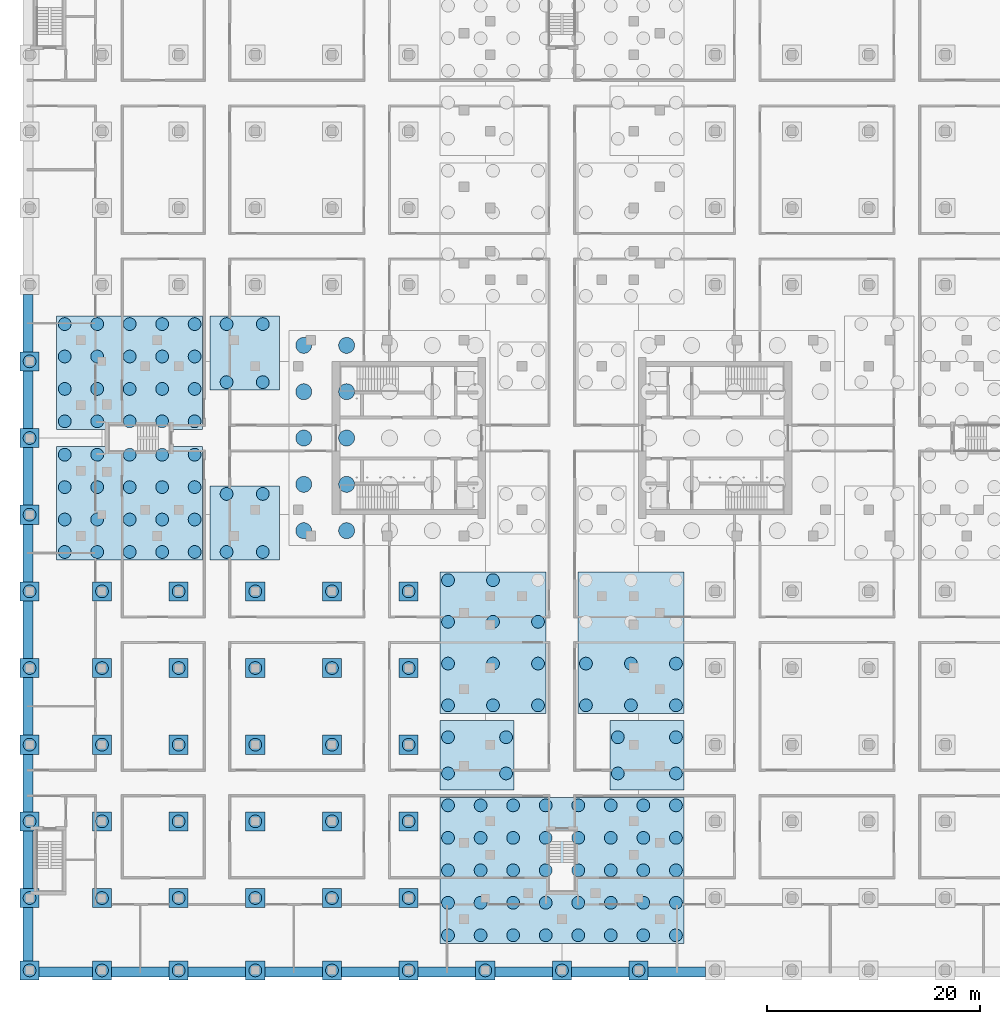
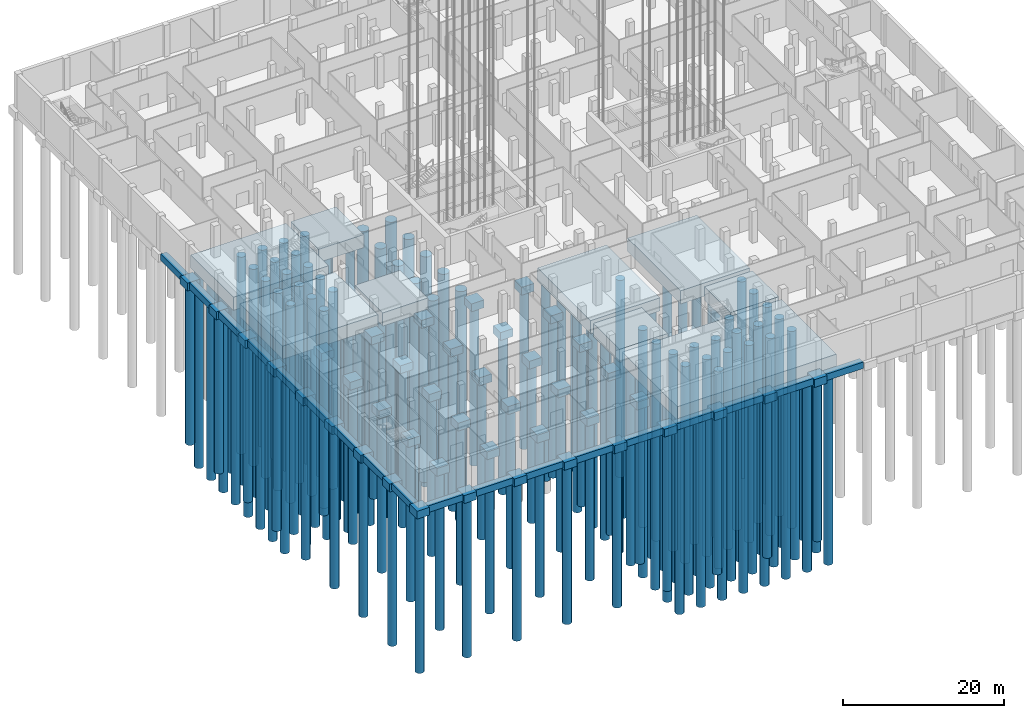
# One storey, part 1 of 54: 165 piles, 69 footings.
"""IFC4 building model written with IfcOpenShell, lengths in metres."""

from ifc_helpers import new_model, si_unit, direction, frame, origin, origin_2d, place, context, subcontext, project, spatial, rectangle, circle, extrude, material, material_profile, profile_set, type_object, element, save


model = new_model("IFC4")

# Units and contexts
model_context = context("Model", 3, precision=1e-05, world=origin(), true_north=direction((0.0, 1.0)))
body_context = subcontext(model_context, "Body", "Model", "MODEL_VIEW")
ifc_project = project(units=[si_unit("LENGTHUNIT", "METRE"), si_unit("AREAUNIT", "SQUARE_METRE"), si_unit("VOLUMEUNIT", "CUBIC_METRE"), si_unit("PLANEANGLEUNIT", "RADIAN"), si_unit("MASSUNIT", "GRAM", prefix="KILO")], contexts=[model_context])

# Site, building, storey
site_placement = place(None, origin())
site = spatial("IfcSite", under=ifc_project, at=site_placement, CompositionType="ELEMENT")
building_placement = place(site_placement, origin())
building = spatial("IfcBuilding", under=site, at=building_placement, Name="Fustian Cross Tower", CompositionType="ELEMENT")
storey_placement = place(building_placement, frame((0.0, 0.0, -4.800048828125)))
storey = spatial("IfcBuildingStorey", under=building, at=storey_placement, Name="B1", CompositionType="ELEMENT", Elevation=-4.800048828125)

# Piles
ifc_material_1 = material(Name="Concrete C40/50", Category="concrete")
ifc_material_profile_1 = material_profile(ifc_material_1, circle(Radius=0.60009765625, at=origin_2d()), Name="BORED PILE D1200 L24000")
ifc_profile_set_1 = profile_set([ifc_material_profile_1], Name="Concrete C40/50")
pile_type_1 = type_object("IfcPileType", Name="BORED PILE D1200 L24000", PredefinedType="BORED", material=ifc_profile_set_1)
for number, where, z_axis, x_axis, name in (
    (1, (-50.0, -50.0, -1.599853515625), (0.0, 0.0, -1.0), (1.0, 0.0, 0.0), "PILE 001-01"),
    (2, (-50.0, -43.199951171875, -1.599853515625), (0.0, 0.0, -1.0), (1.0, 0.0, 0.0), "PILE 002-01"),
    (3, (-50.0, -36.0, -1.599853515625), (0.0, 0.0, -1.0), (1.0, 0.0, 0.0), "PILE 003-01"),
    (4, (-50.0, -28.800048828125, -1.599853515625), (0.0, 0.0, -1.0), (1.0, 0.0, 0.0), "PILE 004-01"),
    (5, (-50.0, -21.60009765625, -1.599853515625), (0.0, 0.0, -1.0), (1.0, 0.0, 0.0), "PILE 005-01"),
    (6, (-50.0, -14.39990234375, -1.599853515625), (0.0, 0.0, -1.0), (1.0, 0.0, 0.0), "PILE 006-01"),
    (7, (-50.0, -7.199951171875, -1.599853515625), (0.0, 0.0, -1.0), (1.0, 0.0, 0.0), "PILE 007-01"),
    (8, (-50.0, 0.0, -1.599853515625), (0.0, 0.0, -1.0), (1.0, 0.0, 0.0), "PILE 008-01"),
    (9, (-50.0, 7.199951171875, -1.599853515625), (0.0, 0.0, -1.0), (1.0, 0.0, 0.0), "PILE 009-01"),
    (10, (-43.199951171875, -50.0, -1.599853515625), (0.0, 0.0, -1.0), (1.0, 0.0, 0.0), "PILE 018-01"),
    (11, (-43.199951171875, -43.199951171875, -1.599853515625), (0.0, 0.0, -1.0), (1.0, 0.0, 0.0), "PILE 019-01"),
    (12, (-43.199951171875, -36.0, -1.599853515625), (0.0, 0.0, -1.0), (1.0, 0.0, 0.0), "PILE 020-01"),
    (13, (-43.199951171875, -28.800048828125, -1.599853515625), (0.0, 0.0, -1.0), (1.0, 0.0, 0.0), "PILE 021-01"),
    (14, (-43.199951171875, -21.60009765625, -1.599853515625), (0.0, 0.0, -1.0), (1.0, 0.0, 0.0), "PILE 022-01"),
    (15, (-43.199951171875, -14.39990234375, -1.599853515625), (0.0, 0.0, -1.0), (1.0, 0.0, 0.0), "PILE 023-01"),
    (16, (-36.0, -50.0, -1.599853515625), (0.0, 0.0, -1.0), (1.0, 0.0, 0.0), "PILE 030-01"),
    (17, (-36.0, -43.199951171875, -1.599853515625), (0.0, 0.0, -1.0), (1.0, 0.0, 0.0), "PILE 031-01"),
    (18, (-36.0, -36.0, -1.599853515625), (0.0, 0.0, -1.0), (1.0, 0.0, 0.0), "PILE 032-01"),
    (19, (-36.0, -28.800048828125, -1.599853515625), (0.0, 0.0, -1.0), (1.0, 0.0, 0.0), "PILE 033-01"),
    (20, (-36.0, -21.60009765625, -1.599853515625), (0.0, 0.0, -1.0), (1.0, 0.0, 0.0), "PILE 034-01"),
    (21, (-36.0, -14.39990234375, -1.599853515625), (0.0, 0.0, -1.0), (1.0, 0.0, 0.0), "PILE 035-01"),
    (22, (-28.800048828125, -50.0, -1.599853515625), (0.0, 0.0, -1.0), (1.0, 0.0, 0.0), "PILE 044-01"),
    (23, (-28.800048828125, -43.199951171875, -1.599853515625), (0.0, 0.0, -1.0), (1.0, 0.0, 0.0), "PILE 045-01"),
    (24, (-28.800048828125, -36.0, -1.599853515625), (0.0, 0.0, -1.0), (1.0, 0.0, 0.0), "PILE 046-01"),
    (25, (-28.800048828125, -28.800048828125, -1.599853515625), (0.0, 0.0, -1.0), (1.0, 0.0, 0.0), "PILE 047-01"),
    (26, (-28.800048828125, -21.60009765625, -1.599853515625), (0.0, 0.0, -1.0), (1.0, 0.0, 0.0), "PILE 048-01"),
    (27, (-28.800048828125, -14.39990234375, -1.599853515625), (0.0, 0.0, -1.0), (1.0, 0.0, 0.0), "PILE 049-01"),
    (28, (-21.60009765625, -50.0, -1.599853515625), (0.0, 0.0, -1.0), (1.0, 0.0, 0.0), "PILE 056-01"),
    (29, (-21.60009765625, -43.199951171875, -1.599853515625), (0.0, 0.0, -1.0), (1.0, 0.0, 0.0), "PILE 057-01"),
    (30, (-21.60009765625, -36.0, -1.599853515625), (0.0, 0.0, -1.0), (1.0, 0.0, 0.0), "PILE 058-01"),
    (31, (-21.60009765625, -28.800048828125, -1.599853515625), (0.0, 0.0, -1.0), (1.0, 0.0, 0.0), "PILE 059-01"),
    (32, (-21.60009765625, -21.60009765625, -1.599853515625), (0.0, 0.0, -1.0), (1.0, 0.0, 0.0), "PILE 060-01"),
    (33, (-21.60009765625, -14.39990234375, -1.599853515625), (0.0, 0.0, -1.0), (1.0, 0.0, 0.0), "PILE 061-01"),
    (34, (-14.39990234375, -50.0, -1.599853515625), (0.0, 0.0, -1.0), (1.0, 0.0, 0.0), "PILE 068-01"),
    (35, (-14.39990234375, -43.199951171875, -1.599853515625), (0.0, 0.0, -1.0), (1.0, 0.0, 0.0), "PILE 069-01"),
    (36, (-14.39990234375, -36.0, -1.599853515625), (0.0, 0.0, -1.0), (1.0, 0.0, 0.0), "PILE 070-01"),
    (37, (-14.39990234375, -28.800048828125, -1.599853515625), (0.0, 0.0, -1.0), (1.0, 0.0, 0.0), "PILE 071-01"),
    (38, (-14.39990234375, -21.60009765625, -1.599853515625), (0.0, 0.0, -1.0), (1.0, 0.0, 0.0), "PILE 072-01"),
    (39, (-14.39990234375, -14.39990234375, -1.599853515625), (0.0, 0.0, -1.0), (1.0, 0.0, 0.0), "PILE 073-01"),
    (40, (-7.199951171875, -50.0, -1.599853515625), (0.0, 0.0, -1.0), (1.0, 0.0, 0.0), "PILE 086-01"),
    (41, (0.0, -50.0, -1.599853515625), (0.0, 0.0, -1.0), (1.0, 0.0, 0.0), "PILE 090-01"),
    (42, (7.199951171875, -50.0, -1.599853515625), (0.0, 0.0, -1.0), (1.0, 0.0, 0.0), "PILE 098-01"),
):
    element("IfcPile", number, at=place(storey_placement, frame(where, z_axis=z_axis, x_axis=x_axis)), inside=storey, type_object=pile_type_1, Name=name, PredefinedType="BORED", context=body_context, shape_type="SweptSolid", body=[
        extrude(circle(Radius=0.60009765625, at=origin_2d()), origin(), (0.0, 0.0, 1.0), 24.0),
    ])
ifc_material_2 = material(Name="Concrete C40/50", Category="concrete")
ifc_material_profile_2 = material_profile(ifc_material_2, circle(Radius=0.60009765625, at=origin_2d()), Name="BORED PILE D1200 L30000")
ifc_profile_set_2 = profile_set([ifc_material_profile_2], Name="Concrete C40/50")
pile_type_2 = type_object("IfcPileType", Name="BORED PILE D1200 L30000", PredefinedType="BORED", material=ifc_profile_set_2)
for number, where, z_axis, x_axis, name in (
    (43, (-46.699951171875, -10.699951171875, -2.39990234375), (0.0, 0.0, -1.0), (1.0, 0.0, 0.0), "PILE 016-01"),
    (44, (-46.699951171875, -7.655517578125, -2.39990234375), (0.0, 0.0, -1.0), (1.0, 0.0, 0.0), "PILE 016-02"),
    (45, (-46.699951171875, -4.611083984375, -2.39990234375), (0.0, 0.0, -1.0), (1.0, 0.0, 0.0), "PILE 016-03"),
    (46, (-46.699951171875, -1.566650390625, -2.39990234375), (0.0, 0.0, -1.0), (1.0, 0.0, 0.0), "PILE 016-04"),
    (47, (-43.64990234375, -10.699951171875, -2.39990234375), (0.0, 0.0, -1.0), (1.0, 0.0, 0.0), "PILE 016-05"),
    (48, (-43.64990234375, -7.655517578125, -2.39990234375), (0.0, 0.0, -1.0), (1.0, 0.0, 0.0), "PILE 016-06"),
    (49, (-43.64990234375, -4.611083984375, -2.39990234375), (0.0, 0.0, -1.0), (1.0, 0.0, 0.0), "PILE 016-07"),
    (50, (-43.64990234375, -1.566650390625, -2.39990234375), (0.0, 0.0, -1.0), (1.0, 0.0, 0.0), "PILE 016-08"),
    (51, (-40.60009765625, -10.699951171875, -2.39990234375), (0.0, 0.0, -1.0), (1.0, 0.0, 0.0), "PILE 016-09"),
    (52, (-40.60009765625, -7.655517578125, -2.39990234375), (0.0, 0.0, -1.0), (1.0, 0.0, 0.0), "PILE 016-10"),
    (53, (-40.60009765625, -4.611083984375, -2.39990234375), (0.0, 0.0, -1.0), (1.0, 0.0, 0.0), "PILE 016-11"),
    (54, (-40.60009765625, -1.566650390625, -2.39990234375), (0.0, 0.0, -1.0), (1.0, 0.0, 0.0), "PILE 016-12"),
    (55, (-37.550048828125, -10.699951171875, -2.39990234375), (0.0, 0.0, -1.0), (1.0, 0.0, 0.0), "PILE 016-13"),
    (56, (-37.550048828125, -7.655517578125, -2.39990234375), (0.0, 0.0, -1.0), (1.0, 0.0, 0.0), "PILE 016-14"),
    (57, (-37.550048828125, -4.611083984375, -2.39990234375), (0.0, 0.0, -1.0), (1.0, 0.0, 0.0), "PILE 016-15"),
    (58, (-37.550048828125, -1.566650390625, -2.39990234375), (0.0, 0.0, -1.0), (1.0, 0.0, 0.0), "PILE 016-16"),
    (59, (-34.5, -10.699951171875, -2.39990234375), (0.0, 0.0, -1.0), (1.0, 0.0, 0.0), "PILE 016-17"),
    (60, (-34.5, -7.655517578125, -2.39990234375), (0.0, 0.0, -1.0), (1.0, 0.0, 0.0), "PILE 016-18"),
    (61, (-34.5, -4.611083984375, -2.39990234375), (0.0, 0.0, -1.0), (1.0, 0.0, 0.0), "PILE 016-19"),
    (62, (-34.5, -1.566650390625, -2.39990234375), (0.0, 0.0, -1.0), (1.0, 0.0, 0.0), "PILE 016-20"),
    (63, (-46.699951171875, 1.566650390625, -2.39990234375), (0.0, 0.0, -1.0), (1.0, 0.0, 0.0), "PILE 017-01"),
    (64, (-46.699951171875, 4.611083984375, -2.39990234375), (0.0, 0.0, -1.0), (1.0, 0.0, 0.0), "PILE 017-02"),
    (65, (-46.699951171875, 7.655517578125, -2.39990234375), (0.0, 0.0, -1.0), (1.0, 0.0, 0.0), "PILE 017-03"),
    (66, (-46.699951171875, 10.699951171875, -2.39990234375), (0.0, 0.0, -1.0), (1.0, 0.0, 0.0), "PILE 017-04"),
    (67, (-43.64990234375, 1.566650390625, -2.39990234375), (0.0, 0.0, -1.0), (1.0, 0.0, 0.0), "PILE 017-05"),
    (68, (-43.64990234375, 4.611083984375, -2.39990234375), (0.0, 0.0, -1.0), (1.0, 0.0, 0.0), "PILE 017-06"),
    (69, (-43.64990234375, 7.655517578125, -2.39990234375), (0.0, 0.0, -1.0), (1.0, 0.0, 0.0), "PILE 017-07"),
    (70, (-43.64990234375, 10.699951171875, -2.39990234375), (0.0, 0.0, -1.0), (1.0, 0.0, 0.0), "PILE 017-08"),
    (71, (-40.60009765625, 1.566650390625, -2.39990234375), (0.0, 0.0, -1.0), (1.0, 0.0, 0.0), "PILE 017-09"),
    (72, (-40.60009765625, 4.611083984375, -2.39990234375), (0.0, 0.0, -1.0), (1.0, 0.0, 0.0), "PILE 017-10"),
    (73, (-40.60009765625, 7.655517578125, -2.39990234375), (0.0, 0.0, -1.0), (1.0, 0.0, 0.0), "PILE 017-11"),
    (74, (-40.60009765625, 10.699951171875, -2.39990234375), (0.0, 0.0, -1.0), (1.0, 0.0, 0.0), "PILE 017-12"),
    (75, (-37.550048828125, 1.566650390625, -2.39990234375), (0.0, 0.0, -1.0), (1.0, 0.0, 0.0), "PILE 017-13"),
    (76, (-37.550048828125, 4.611083984375, -2.39990234375), (0.0, 0.0, -1.0), (1.0, 0.0, 0.0), "PILE 017-14"),
    (77, (-37.550048828125, 7.655517578125, -2.39990234375), (0.0, 0.0, -1.0), (1.0, 0.0, 0.0), "PILE 017-15"),
    (78, (-37.550048828125, 10.699951171875, -2.39990234375), (0.0, 0.0, -1.0), (1.0, 0.0, 0.0), "PILE 017-16"),
    (79, (-34.5, 1.566650390625, -2.39990234375), (0.0, 0.0, -1.0), (1.0, 0.0, 0.0), "PILE 017-17"),
    (80, (-34.5, 4.611083984375, -2.39990234375), (0.0, 0.0, -1.0), (1.0, 0.0, 0.0), "PILE 017-18"),
    (81, (-34.5, 7.655517578125, -2.39990234375), (0.0, 0.0, -1.0), (1.0, 0.0, 0.0), "PILE 017-19"),
    (82, (-34.5, 10.699951171875, -2.39990234375), (0.0, 0.0, -1.0), (1.0, 0.0, 0.0), "PILE 017-20"),
    (83, (-31.5, -10.699951171875, -2.39990234375), (0.0, 0.0, -1.0), (1.0, 0.0, 0.0), "PILE 042-01"),
    (84, (-31.5, -5.25, -2.39990234375), (0.0, 0.0, -1.0), (1.0, 0.0, 0.0), "PILE 042-02"),
    (85, (-28.10009765625, -10.699951171875, -2.39990234375), (0.0, 0.0, -1.0), (1.0, 0.0, 0.0), "PILE 042-03"),
    (86, (-28.10009765625, -5.25, -2.39990234375), (0.0, 0.0, -1.0), (1.0, 0.0, 0.0), "PILE 042-04"),
    (87, (-31.5, 5.25, -2.39990234375), (0.0, 0.0, -1.0), (1.0, 0.0, 0.0), "PILE 043-01"),
    (88, (-31.5, 10.699951171875, -2.39990234375), (0.0, 0.0, -1.0), (1.0, 0.0, 0.0), "PILE 043-02"),
    (89, (-28.10009765625, 5.25, -2.39990234375), (0.0, 0.0, -1.0), (1.0, 0.0, 0.0), "PILE 043-03"),
    (90, (-28.10009765625, 10.699951171875, -2.39990234375), (0.0, 0.0, -1.0), (1.0, 0.0, 0.0), "PILE 043-04"),
    (91, (-10.699951171875, -46.699951171875, -2.39990234375), (0.0, 0.0, -1.0), (1.0, 0.0, 0.0), "PILE 080-01"),
    (92, (-10.699951171875, -43.64990234375, -2.39990234375), (0.0, 0.0, -1.0), (1.0, 0.0, 0.0), "PILE 080-02"),
    (93, (-10.699951171875, -40.60009765625, -2.39990234375), (0.0, 0.0, -1.0), (1.0, 0.0, 0.0), "PILE 080-03"),
    (94, (-10.699951171875, -37.550048828125, -2.39990234375), (0.0, 0.0, -1.0), (1.0, 0.0, 0.0), "PILE 080-04"),
    (95, (-10.699951171875, -34.5, -2.39990234375), (0.0, 0.0, -1.0), (1.0, 0.0, 0.0), "PILE 080-05"),
    (96, (-7.642822265625, -46.699951171875, -2.39990234375), (0.0, 0.0, -1.0), (1.0, 0.0, 0.0), "PILE 080-06"),
    (97, (-7.642822265625, -43.64990234375, -2.39990234375), (0.0, 0.0, -1.0), (1.0, 0.0, 0.0), "PILE 080-07"),
    (98, (-7.642822265625, -40.60009765625, -2.39990234375), (0.0, 0.0, -1.0), (1.0, 0.0, 0.0), "PILE 080-08"),
    (99, (-7.642822265625, -37.550048828125, -2.39990234375), (0.0, 0.0, -1.0), (1.0, 0.0, 0.0), "PILE 080-09"),
    (100, (-7.642822265625, -34.5, -2.39990234375), (0.0, 0.0, -1.0), (1.0, 0.0, 0.0), "PILE 080-10"),
    (101, (-4.585693359375, -46.699951171875, -2.39990234375), (0.0, 0.0, -1.0), (1.0, 0.0, 0.0), "PILE 080-11"),
    (102, (-4.585693359375, -43.64990234375, -2.39990234375), (0.0, 0.0, -1.0), (1.0, 0.0, 0.0), "PILE 080-12"),
    (103, (-4.585693359375, -40.60009765625, -2.39990234375), (0.0, 0.0, -1.0), (1.0, 0.0, 0.0), "PILE 080-13"),
    (104, (-4.585693359375, -37.550048828125, -2.39990234375), (0.0, 0.0, -1.0), (1.0, 0.0, 0.0), "PILE 080-14"),
    (105, (-4.585693359375, -34.5, -2.39990234375), (0.0, 0.0, -1.0), (1.0, 0.0, 0.0), "PILE 080-15"),
    (106, (-1.528564453125, -46.699951171875, -2.39990234375), (0.0, 0.0, -1.0), (1.0, 0.0, 0.0), "PILE 080-16"),
    (107, (-1.528564453125, -43.64990234375, -2.39990234375), (0.0, 0.0, -1.0), (1.0, 0.0, 0.0), "PILE 080-17"),
    (108, (-1.528564453125, -40.60009765625, -2.39990234375), (0.0, 0.0, -1.0), (1.0, 0.0, 0.0), "PILE 080-18"),
    (109, (-1.528564453125, -37.550048828125, -2.39990234375), (0.0, 0.0, -1.0), (1.0, 0.0, 0.0), "PILE 080-19"),
    (110, (-1.528564453125, -34.5, -2.39990234375), (0.0, 0.0, -1.0), (1.0, 0.0, 0.0), "PILE 080-20"),
    (111, (1.528564453125, -46.699951171875, -2.39990234375), (0.0, 0.0, -1.0), (1.0, 0.0, 0.0), "PILE 080-21"),
    (112, (1.528564453125, -43.64990234375, -2.39990234375), (0.0, 0.0, -1.0), (1.0, 0.0, 0.0), "PILE 080-22"),
    (113, (1.528564453125, -40.60009765625, -2.39990234375), (0.0, 0.0, -1.0), (1.0, 0.0, 0.0), "PILE 080-23"),
    (114, (1.528564453125, -37.550048828125, -2.39990234375), (0.0, 0.0, -1.0), (1.0, 0.0, 0.0), "PILE 080-24"),
    (115, (1.528564453125, -34.5, -2.39990234375), (0.0, 0.0, -1.0), (1.0, 0.0, 0.0), "PILE 080-25"),
    (116, (4.585693359375, -46.699951171875, -2.39990234375), (0.0, 0.0, -1.0), (1.0, 0.0, 0.0), "PILE 080-26"),
    (117, (4.585693359375, -43.64990234375, -2.39990234375), (0.0, 0.0, -1.0), (1.0, 0.0, 0.0), "PILE 080-27"),
    (118, (4.585693359375, -40.60009765625, -2.39990234375), (0.0, 0.0, -1.0), (1.0, 0.0, 0.0), "PILE 080-28"),
    (119, (4.585693359375, -37.550048828125, -2.39990234375), (0.0, 0.0, -1.0), (1.0, 0.0, 0.0), "PILE 080-29"),
    (120, (4.585693359375, -34.5, -2.39990234375), (0.0, 0.0, -1.0), (1.0, 0.0, 0.0), "PILE 080-30"),
    (121, (7.642822265625, -46.699951171875, -2.39990234375), (0.0, 0.0, -1.0), (1.0, 0.0, 0.0), "PILE 080-31"),
    (122, (7.642822265625, -43.64990234375, -2.39990234375), (0.0, 0.0, -1.0), (1.0, 0.0, 0.0), "PILE 080-32"),
    (123, (7.642822265625, -40.60009765625, -2.39990234375), (0.0, 0.0, -1.0), (1.0, 0.0, 0.0), "PILE 080-33"),
    (124, (7.642822265625, -37.550048828125, -2.39990234375), (0.0, 0.0, -1.0), (1.0, 0.0, 0.0), "PILE 080-34"),
    (125, (7.642822265625, -34.5, -2.39990234375), (0.0, 0.0, -1.0), (1.0, 0.0, 0.0), "PILE 080-35"),
    (126, (10.699951171875, -46.699951171875, -2.39990234375), (0.0, 0.0, -1.0), (1.0, 0.0, 0.0), "PILE 080-36"),
    (127, (10.699951171875, -43.64990234375, -2.39990234375), (0.0, 0.0, -1.0), (1.0, 0.0, 0.0), "PILE 080-37"),
    (128, (10.699951171875, -40.60009765625, -2.39990234375), (0.0, 0.0, -1.0), (1.0, 0.0, 0.0), "PILE 080-38"),
    (129, (10.699951171875, -37.550048828125, -2.39990234375), (0.0, 0.0, -1.0), (1.0, 0.0, 0.0), "PILE 080-39"),
    (130, (10.699951171875, -34.5, -2.39990234375), (0.0, 0.0, -1.0), (1.0, 0.0, 0.0), "PILE 080-40"),
    (131, (-10.699951171875, -31.5, -2.39990234375), (0.0, 0.0, -1.0), (1.0, 0.0, 0.0), "PILE 081-01"),
    (132, (-10.699951171875, -28.10009765625, -2.39990234375), (0.0, 0.0, -1.0), (1.0, 0.0, 0.0), "PILE 081-02"),
    (133, (-5.25, -31.5, -2.39990234375), (0.0, 0.0, -1.0), (1.0, 0.0, 0.0), "PILE 081-03"),
    (134, (-5.25, -28.10009765625, -2.39990234375), (0.0, 0.0, -1.0), (1.0, 0.0, 0.0), "PILE 081-04"),
    (135, (-10.699951171875, -25.10009765625, -2.39990234375), (0.0, 0.0, -1.0), (1.0, 0.0, 0.0), "PILE 082-01"),
    (136, (-10.699951171875, -21.183349609375, -2.39990234375), (0.0, 0.0, -1.0), (1.0, 0.0, 0.0), "PILE 082-02"),
    (137, (-10.699951171875, -17.2666015625, -2.39990234375), (0.0, 0.0, -1.0), (1.0, 0.0, 0.0), "PILE 082-03"),
    (138, (-10.699951171875, -13.35009765625, -2.39990234375), (0.0, 0.0, -1.0), (1.0, 0.0, 0.0), "PILE 082-04"),
    (139, (-6.47509765625, -25.10009765625, -2.39990234375), (0.0, 0.0, -1.0), (1.0, 0.0, 0.0), "PILE 082-05"),
    (140, (-6.47509765625, -21.183349609375, -2.39990234375), (0.0, 0.0, -1.0), (1.0, 0.0, 0.0), "PILE 082-06"),
    (141, (-6.47509765625, -17.2666015625, -2.39990234375), (0.0, 0.0, -1.0), (1.0, 0.0, 0.0), "PILE 082-07"),
    (142, (-6.47509765625, -13.35009765625, -2.39990234375), (0.0, 0.0, -1.0), (1.0, 0.0, 0.0), "PILE 082-08"),
    (143, (-2.25, -25.10009765625, -2.39990234375), (0.0, 0.0, -1.0), (1.0, 0.0, 0.0), "PILE 082-09"),
    (144, (-2.25, -21.183349609375, -2.39990234375), (0.0, 0.0, -1.0), (1.0, 0.0, 0.0), "PILE 082-10"),
    (145, (-2.25, -17.2666015625, -2.39990234375), (0.0, 0.0, -1.0), (1.0, 0.0, 0.0), "PILE 082-11"),
    (146, (2.25, -25.10009765625, -2.39990234375), (0.0, 0.0, -1.0), (1.0, 0.0, 0.0), "PILE 092-01"),
    (147, (2.25, -21.183349609375, -2.39990234375), (0.0, 0.0, -1.0), (1.0, 0.0, 0.0), "PILE 092-02"),
    (148, (6.47509765625, -25.10009765625, -2.39990234375), (0.0, 0.0, -1.0), (1.0, 0.0, 0.0), "PILE 092-05"),
    (149, (6.47509765625, -21.183349609375, -2.39990234375), (0.0, 0.0, -1.0), (1.0, 0.0, 0.0), "PILE 092-06"),
    (150, (10.699951171875, -25.10009765625, -2.39990234375), (0.0, 0.0, -1.0), (1.0, 0.0, 0.0), "PILE 092-09"),
    (151, (10.699951171875, -21.183349609375, -2.39990234375), (0.0, 0.0, -1.0), (1.0, 0.0, 0.0), "PILE 092-10"),
    (152, (5.25, -31.5, -2.39990234375), (0.0, 0.0, -1.0), (1.0, 0.0, 0.0), "PILE 096-01"),
    (153, (5.25, -28.10009765625, -2.39990234375), (0.0, 0.0, -1.0), (1.0, 0.0, 0.0), "PILE 096-02"),
    (154, (10.699951171875, -31.5, -2.39990234375), (0.0, 0.0, -1.0), (1.0, 0.0, 0.0), "PILE 096-03"),
    (155, (10.699951171875, -28.10009765625, -2.39990234375), (0.0, 0.0, -1.0), (1.0, 0.0, 0.0), "PILE 096-04"),
):
    element("IfcPile", number, at=place(storey_placement, frame(where, z_axis=z_axis, x_axis=x_axis)), inside=storey, type_object=pile_type_2, Name=name, PredefinedType="BORED", context=body_context, shape_type="SweptSolid", body=[
        extrude(circle(Radius=0.60009765625, at=origin_2d()), origin(), (0.0, 0.0, 1.0), 30.0),
    ])
ifc_material_3 = material(Name="Concrete C40/50", Category="concrete")
ifc_material_profile_3 = material_profile(ifc_material_3, circle(Radius=0.75, at=origin_2d()), Name="BORED PILE D1500")
ifc_profile_set_3 = profile_set([ifc_material_profile_3], Name="Concrete C40/50")
pile_type_3 = type_object("IfcPileType", Name="BORED PILE D1500", PredefinedType="BORED", material=ifc_profile_set_3)
for number, where, z_axis, x_axis, name in (
    (156, (-24.25, -8.699951171875, -2.89990234375), (0.0, 0.0, -1.0), (1.0, 0.0, 0.0), "PILE W01"),
    (157, (-24.25, -4.35009765625, -2.89990234375), (0.0, 0.0, -1.0), (1.0, 0.0, 0.0), "PILE W02"),
    (158, (-24.25, 0.0, -2.89990234375), (0.0, 0.0, -1.0), (1.0, 0.0, 0.0), "PILE W03"),
    (159, (-24.25, 4.35009765625, -2.89990234375), (0.0, 0.0, -1.0), (1.0, 0.0, 0.0), "PILE W04"),
    (160, (-24.25, 8.699951171875, -2.89990234375), (0.0, 0.0, -1.0), (1.0, 0.0, 0.0), "PILE W05"),
    (161, (-20.22509765625, -8.699951171875, -2.89990234375), (0.0, 0.0, -1.0), (1.0, 0.0, 0.0), "PILE W06"),
    (162, (-20.22509765625, -4.35009765625, -2.89990234375), (0.0, 0.0, -1.0), (1.0, 0.0, 0.0), "PILE W07"),
    (163, (-20.22509765625, 0.0, -2.89990234375), (0.0, 0.0, -1.0), (1.0, 0.0, 0.0), "PILE W08"),
    (164, (-20.22509765625, 4.35009765625, -2.89990234375), (0.0, 0.0, -1.0), (1.0, 0.0, 0.0), "PILE W09"),
    (165, (-20.22509765625, 8.699951171875, -2.89990234375), (0.0, 0.0, -1.0), (1.0, 0.0, 0.0), "PILE W10"),
):
    element("IfcPile", number, at=place(storey_placement, frame(where, z_axis=z_axis, x_axis=x_axis)), inside=storey, type_object=pile_type_3, Name=name, PredefinedType="BORED", context=body_context, shape_type="SweptSolid", body=[
        extrude(circle(Radius=0.75, at=origin_2d()), origin(), (0.0, 0.0, 1.0), 35.0),
    ])

# Footings
ifc_material_4 = material(Name="Concrete C40/50", Category="concrete")
footing_type_1 = type_object("IfcFootingType", Name="GROUND BEAM 900X1000", PredefinedType="FOOTING_BEAM", material=ifc_material_4)
footing_1_placement = place(storey_placement, frame((-46.60009765625, -50.14990234375, -1.5), z_axis=(0.0, 0.0, 1.0), x_axis=(1.0, 0.0, 0.0)))
element("IfcFooting", 166, at=footing_1_placement, inside=storey, type_object=footing_type_1, Name="GROUND BEAM 01", PredefinedType="FOOTING_BEAM", context=body_context, shape_type="SweptSolid", body=[
    extrude(rectangle(XDim=5.0, YDim=0.89990234375, at=origin_2d()), origin(), (0.0, 0.0, 1.0), 1.0),
])
for number, where, z_axis, x_axis, name in (
    (167, (-39.60009765625, -50.14990234375, -1.5), (0.0, 0.0, 1.0), (1.0, 0.0, 0.0), "GROUND BEAM 02"),
    (168, (-32.39990234375, -50.14990234375, -1.5), (0.0, 0.0, 1.0), (1.0, 0.0, 0.0), "GROUND BEAM 03"),
    (169, (-25.199951171875, -50.14990234375, -1.5), (0.0, 0.0, 1.0), (1.0, 0.0, 0.0), "GROUND BEAM 04"),
    (170, (-18.0, -50.14990234375, -1.5), (0.0, 0.0, 1.0), (1.0, 0.0, 0.0), "GROUND BEAM 05"),
    (171, (-10.800048828125, -50.14990234375, -1.5), (0.0, 0.0, 1.0), (1.0, 0.0, 0.0), "GROUND BEAM 06"),
    (172, (-3.60009765625, -50.14990234375, -1.5), (0.0, 0.0, 1.0), (1.0, 0.0, 0.0), "GROUND BEAM 07"),
    (173, (3.60009765625, -50.14990234375, -1.5), (0.0, 0.0, 1.0), (1.0, 0.0, 0.0), "GROUND BEAM 08"),
    (174, (10.800048828125, -50.14990234375, -1.5), (0.0, 0.0, 1.0), (1.0, 0.0, 0.0), "GROUND BEAM 09"),
):
    element("IfcFooting", number, at=place(storey_placement, frame(where, z_axis=z_axis, x_axis=x_axis)), inside=storey, type_object=footing_type_1, Name=name, PredefinedType="FOOTING_BEAM", context=body_context, shape_type="SweptSolid", body=[
        extrude(rectangle(XDim=5.39990234375, YDim=0.89990234375, at=origin_2d()), origin(), (0.0, 0.0, 1.0), 1.0),
    ])
footing_2_placement = place(storey_placement, frame((-50.14990234375, -46.60009765625, -1.5), z_axis=(0.0, 0.0, 1.0), x_axis=(1.0, 0.0, 0.0)))
element("IfcFooting", 175, at=footing_2_placement, inside=storey, type_object=footing_type_1, Name="GROUND BEAM 29", PredefinedType="FOOTING_BEAM", context=body_context, shape_type="SweptSolid", body=[
    extrude(rectangle(XDim=0.89990234375, YDim=5.0, at=origin_2d()), origin(), (0.0, 0.0, 1.0), 1.0),
])
for number, where, z_axis, x_axis, name in (
    (176, (-50.14990234375, -39.60009765625, -1.5), (0.0, 0.0, 1.0), (1.0, 0.0, 0.0), "GROUND BEAM 30"),
    (177, (-50.14990234375, -32.39990234375, -1.5), (0.0, 0.0, 1.0), (1.0, 0.0, 0.0), "GROUND BEAM 31"),
    (178, (-50.14990234375, -25.199951171875, -1.5), (0.0, 0.0, 1.0), (1.0, 0.0, 0.0), "GROUND BEAM 32"),
    (179, (-50.14990234375, -18.0, -1.5), (0.0, 0.0, 1.0), (1.0, 0.0, 0.0), "GROUND BEAM 33"),
    (180, (-50.14990234375, -10.800048828125, -1.5), (0.0, 0.0, 1.0), (1.0, 0.0, 0.0), "GROUND BEAM 34"),
    (181, (-50.14990234375, -3.60009765625, -1.5), (0.0, 0.0, 1.0), (1.0, 0.0, 0.0), "GROUND BEAM 35"),
    (182, (-50.14990234375, 3.60009765625, -1.5), (0.0, 0.0, 1.0), (1.0, 0.0, 0.0), "GROUND BEAM 36"),
    (183, (-50.14990234375, 10.800048828125, -1.5), (0.0, 0.0, 1.0), (1.0, 0.0, 0.0), "GROUND BEAM 37"),
):
    element("IfcFooting", number, at=place(storey_placement, frame(where, z_axis=z_axis, x_axis=x_axis)), inside=storey, type_object=footing_type_1, Name=name, PredefinedType="FOOTING_BEAM", context=body_context, shape_type="SweptSolid", body=[
        extrude(rectangle(XDim=0.89990234375, YDim=5.39990234375, at=origin_2d()), origin(), (0.0, 0.0, 1.0), 1.0),
    ])
ifc_material_5 = material(Name="Concrete C40/50", Category="concrete")
footing_type_2 = type_object("IfcFootingType", Name="PILE CAP 13700X10633X2000", PredefinedType="PILE_CAP", material=ifc_material_5)
for number, where, z_axis, x_axis, name in (
    (184, (-40.60009765625, -6.13330078125, -2.5), (0.0, 0.0, 1.0), (1.0, 0.0, 0.0), "PILE CAP 016"),
    (185, (-40.60009765625, 6.13330078125, -2.5), (0.0, 0.0, 1.0), (1.0, 0.0, 0.0), "PILE CAP 017"),
):
    element("IfcFooting", number, at=place(storey_placement, frame(where, z_axis=z_axis, x_axis=x_axis)), inside=storey, type_object=footing_type_2, Name=name, PredefinedType="PILE_CAP", context=body_context, shape_type="SweptSolid", body=[
        extrude(rectangle(XDim=13.699951171875, YDim=10.63330078125, at=origin_2d()), origin(), (0.0, 0.0, 1.0), 2.0),
    ])
ifc_material_6 = material(Name="Concrete C40/50", Category="concrete")
footing_type_3 = type_object("IfcFootingType", Name="PILE CAP 1800X1800X1200", PredefinedType="PILE_CAP", material=ifc_material_6)
for number, where, z_axis, x_axis, name in (
    (186, (-50.0, -50.0, -1.69970703125), (0.0, 0.0, 1.0), (1.0, 0.0, 0.0), "PILE CAP 001"),
    (187, (-50.0, -43.199951171875, -1.69970703125), (0.0, 0.0, 1.0), (1.0, 0.0, 0.0), "PILE CAP 002"),
    (188, (-50.0, -36.0, -1.69970703125), (0.0, 0.0, 1.0), (1.0, 0.0, 0.0), "PILE CAP 003"),
    (189, (-50.0, -28.800048828125, -1.69970703125), (0.0, 0.0, 1.0), (1.0, 0.0, 0.0), "PILE CAP 004"),
    (190, (-50.0, -21.60009765625, -1.69970703125), (0.0, 0.0, 1.0), (1.0, 0.0, 0.0), "PILE CAP 005"),
    (191, (-50.0, -14.39990234375, -1.69970703125), (0.0, 0.0, 1.0), (1.0, 0.0, 0.0), "PILE CAP 006"),
    (192, (-50.0, -7.199951171875, -1.69970703125), (0.0, 0.0, 1.0), (1.0, 0.0, 0.0), "PILE CAP 007"),
    (193, (-50.0, 0.0, -1.69970703125), (0.0, 0.0, 1.0), (1.0, 0.0, 0.0), "PILE CAP 008"),
    (194, (-50.0, 7.199951171875, -1.69970703125), (0.0, 0.0, 1.0), (1.0, 0.0, 0.0), "PILE CAP 009"),
    (195, (-43.199951171875, -50.0, -1.69970703125), (0.0, 0.0, 1.0), (1.0, 0.0, 0.0), "PILE CAP 018"),
    (196, (-43.199951171875, -43.199951171875, -1.69970703125), (0.0, 0.0, 1.0), (1.0, 0.0, 0.0), "PILE CAP 019"),
    (197, (-43.199951171875, -36.0, -1.69970703125), (0.0, 0.0, 1.0), (1.0, 0.0, 0.0), "PILE CAP 020"),
    (198, (-43.199951171875, -28.800048828125, -1.69970703125), (0.0, 0.0, 1.0), (1.0, 0.0, 0.0), "PILE CAP 021"),
    (199, (-43.199951171875, -21.60009765625, -1.69970703125), (0.0, 0.0, 1.0), (1.0, 0.0, 0.0), "PILE CAP 022"),
    (200, (-43.199951171875, -14.39990234375, -1.69970703125), (0.0, 0.0, 1.0), (1.0, 0.0, 0.0), "PILE CAP 023"),
    (201, (-36.0, -50.0, -1.69970703125), (0.0, 0.0, 1.0), (1.0, 0.0, 0.0), "PILE CAP 030"),
    (202, (-36.0, -43.199951171875, -1.69970703125), (0.0, 0.0, 1.0), (1.0, 0.0, 0.0), "PILE CAP 031"),
    (203, (-36.0, -36.0, -1.69970703125), (0.0, 0.0, 1.0), (1.0, 0.0, 0.0), "PILE CAP 032"),
    (204, (-36.0, -28.800048828125, -1.69970703125), (0.0, 0.0, 1.0), (1.0, 0.0, 0.0), "PILE CAP 033"),
    (205, (-36.0, -21.60009765625, -1.69970703125), (0.0, 0.0, 1.0), (1.0, 0.0, 0.0), "PILE CAP 034"),
    (206, (-36.0, -14.39990234375, -1.69970703125), (0.0, 0.0, 1.0), (1.0, 0.0, 0.0), "PILE CAP 035"),
    (207, (-28.800048828125, -50.0, -1.69970703125), (0.0, 0.0, 1.0), (1.0, 0.0, 0.0), "PILE CAP 044"),
    (208, (-28.800048828125, -43.199951171875, -1.69970703125), (0.0, 0.0, 1.0), (1.0, 0.0, 0.0), "PILE CAP 045"),
    (209, (-28.800048828125, -36.0, -1.69970703125), (0.0, 0.0, 1.0), (1.0, 0.0, 0.0), "PILE CAP 046"),
    (210, (-28.800048828125, -28.800048828125, -1.69970703125), (0.0, 0.0, 1.0), (1.0, 0.0, 0.0), "PILE CAP 047"),
    (211, (-28.800048828125, -21.60009765625, -1.69970703125), (0.0, 0.0, 1.0), (1.0, 0.0, 0.0), "PILE CAP 048"),
    (212, (-28.800048828125, -14.39990234375, -1.69970703125), (0.0, 0.0, 1.0), (1.0, 0.0, 0.0), "PILE CAP 049"),
    (213, (-21.60009765625, -50.0, -1.69970703125), (0.0, 0.0, 1.0), (1.0, 0.0, 0.0), "PILE CAP 056"),
    (214, (-21.60009765625, -43.199951171875, -1.69970703125), (0.0, 0.0, 1.0), (1.0, 0.0, 0.0), "PILE CAP 057"),
    (215, (-21.60009765625, -36.0, -1.69970703125), (0.0, 0.0, 1.0), (1.0, 0.0, 0.0), "PILE CAP 058"),
    (216, (-21.60009765625, -28.800048828125, -1.69970703125), (0.0, 0.0, 1.0), (1.0, 0.0, 0.0), "PILE CAP 059"),
    (217, (-21.60009765625, -21.60009765625, -1.69970703125), (0.0, 0.0, 1.0), (1.0, 0.0, 0.0), "PILE CAP 060"),
    (218, (-21.60009765625, -14.39990234375, -1.69970703125), (0.0, 0.0, 1.0), (1.0, 0.0, 0.0), "PILE CAP 061"),
    (219, (-14.39990234375, -50.0, -1.69970703125), (0.0, 0.0, 1.0), (1.0, 0.0, 0.0), "PILE CAP 068"),
    (220, (-14.39990234375, -43.199951171875, -1.69970703125), (0.0, 0.0, 1.0), (1.0, 0.0, 0.0), "PILE CAP 069"),
    (221, (-14.39990234375, -36.0, -1.69970703125), (0.0, 0.0, 1.0), (1.0, 0.0, 0.0), "PILE CAP 070"),
    (222, (-14.39990234375, -28.800048828125, -1.69970703125), (0.0, 0.0, 1.0), (1.0, 0.0, 0.0), "PILE CAP 071"),
    (223, (-14.39990234375, -21.60009765625, -1.69970703125), (0.0, 0.0, 1.0), (1.0, 0.0, 0.0), "PILE CAP 072"),
    (224, (-14.39990234375, -14.39990234375, -1.69970703125), (0.0, 0.0, 1.0), (1.0, 0.0, 0.0), "PILE CAP 073"),
    (225, (-7.199951171875, -50.0, -1.69970703125), (0.0, 0.0, 1.0), (1.0, 0.0, 0.0), "PILE CAP 086"),
    (226, (0.0, -50.0, -1.69970703125), (0.0, 0.0, 1.0), (1.0, 0.0, 0.0), "PILE CAP 090"),
    (227, (7.199951171875, -50.0, -1.69970703125), (0.0, 0.0, 1.0), (1.0, 0.0, 0.0), "PILE CAP 098"),
):
    element("IfcFooting", number, at=place(storey_placement, frame(where, z_axis=z_axis, x_axis=x_axis)), inside=storey, type_object=footing_type_3, Name=name, PredefinedType="PILE_CAP", context=body_context, shape_type="SweptSolid", body=[
        extrude(rectangle(XDim=1.800048828125, YDim=1.800048828125, at=origin_2d()), origin(), (0.0, 0.0, 1.0), 1.199951171875),
    ])
ifc_material_7 = material(Name="Concrete C40/50", Category="concrete")
footing_type_4 = type_object("IfcFootingType", Name="PILE CAP 22900X13700X2000", PredefinedType="PILE_CAP", material=ifc_material_7)
footing_3_placement = place(storey_placement, frame((0.0, -40.60009765625, -2.5), z_axis=(0.0, 0.0, 1.0), x_axis=(1.0, 0.0, 0.0)))
element("IfcFooting", 228, at=footing_3_placement, inside=storey, type_object=footing_type_4, Name="PILE CAP 080", PredefinedType="PILE_CAP", context=body_context, shape_type="SweptSolid", body=[
    extrude(rectangle(XDim=22.89990234375, YDim=13.699951171875, at=origin_2d()), origin(), (0.0, 0.0, 1.0), 2.0),
])
ifc_material_8 = material(Name="Concrete C40/50", Category="concrete")
footing_type_5 = type_object("IfcFootingType", Name="PILE CAP 6500X6950X2000", PredefinedType="PILE_CAP", material=ifc_material_8)
for number, where, z_axis, x_axis, name in (
    (229, (-29.800048828125, -7.97509765625, -2.5), (0.0, 0.0, 1.0), (1.0, 0.0, 0.0), "PILE CAP 042"),
    (230, (-29.800048828125, 7.97509765625, -2.5), (0.0, 0.0, 1.0), (1.0, 0.0, 0.0), "PILE CAP 043"),
):
    element("IfcFooting", number, at=place(storey_placement, frame(where, z_axis=z_axis, x_axis=x_axis)), inside=storey, type_object=footing_type_5, Name=name, PredefinedType="PILE_CAP", context=body_context, shape_type="SweptSolid", body=[
        extrude(rectangle(XDim=6.5, YDim=6.949951171875, at=origin_2d()), origin(), (0.0, 0.0, 1.0), 2.0),
    ])
ifc_material_9 = material(Name="Concrete C40/50", Category="concrete")
footing_type_6 = type_object("IfcFootingType", Name="PILE CAP 6950X6500X2000", PredefinedType="PILE_CAP", material=ifc_material_9)
for number, where, z_axis, x_axis, name in (
    (231, (-7.97509765625, -29.800048828125, -2.5), (0.0, 0.0, 1.0), (1.0, 0.0, 0.0), "PILE CAP 081"),
    (232, (7.97509765625, -29.800048828125, -2.5), (0.0, 0.0, 1.0), (1.0, 0.0, 0.0), "PILE CAP 096"),
):
    element("IfcFooting", number, at=place(storey_placement, frame(where, z_axis=z_axis, x_axis=x_axis)), inside=storey, type_object=footing_type_6, Name=name, PredefinedType="PILE_CAP", context=body_context, shape_type="SweptSolid", body=[
        extrude(rectangle(XDim=6.949951171875, YDim=6.5, at=origin_2d()), origin(), (0.0, 0.0, 1.0), 2.0),
    ])
ifc_material_10 = material(Name="Concrete C40/50", Category="concrete")
footing_type_7 = type_object("IfcFootingType", Name="PILE CAP 9950X13250X2000", PredefinedType="PILE_CAP", material=ifc_material_10)
for number, where, z_axis, x_axis, name in (
    (233, (-6.47509765625, -19.22509765625, -2.5), (0.0, 0.0, 1.0), (1.0, 0.0, 0.0), "PILE CAP 082"),
    (234, (6.47509765625, -19.22509765625, -2.5), (0.0, 0.0, 1.0), (1.0, 0.0, 0.0), "PILE CAP 092"),
):
    element("IfcFooting", number, at=place(storey_placement, frame(where, z_axis=z_axis, x_axis=x_axis)), inside=storey, type_object=footing_type_7, Name=name, PredefinedType="PILE_CAP", context=body_context, shape_type="SweptSolid", body=[
        extrude(rectangle(XDim=9.949951171875, YDim=13.25, at=origin_2d()), origin(), (0.0, 0.0, 1.0), 2.0),
    ])

save(model, "model.ifc")
